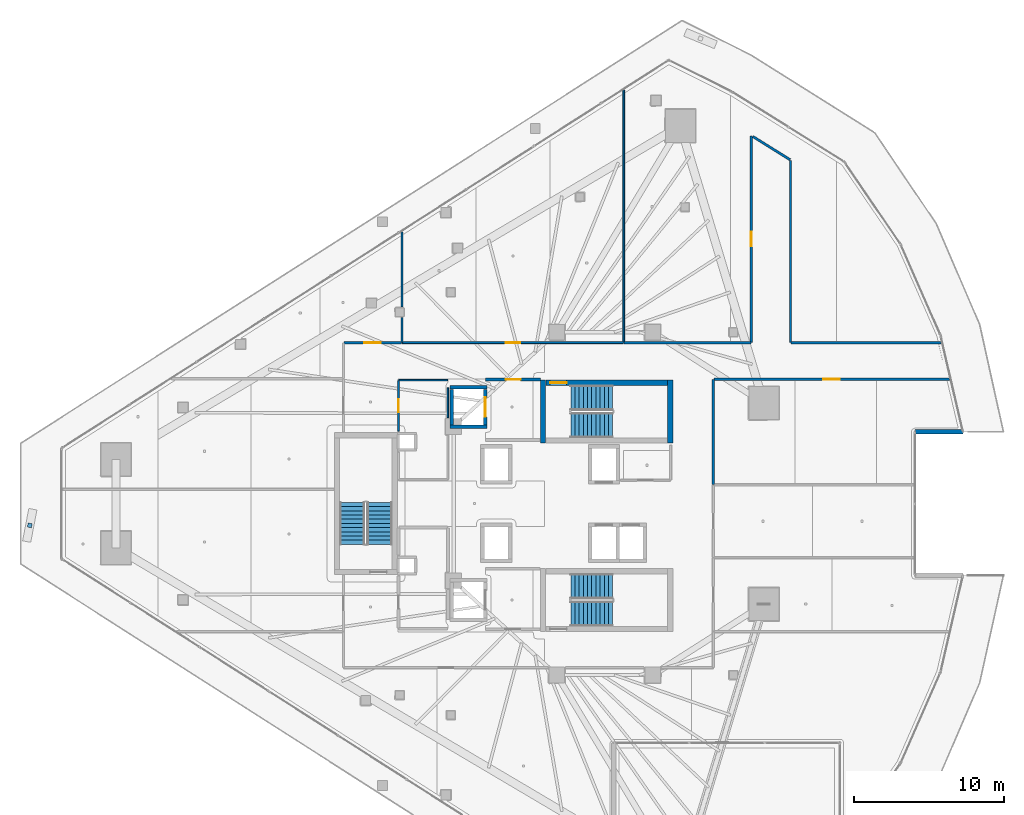
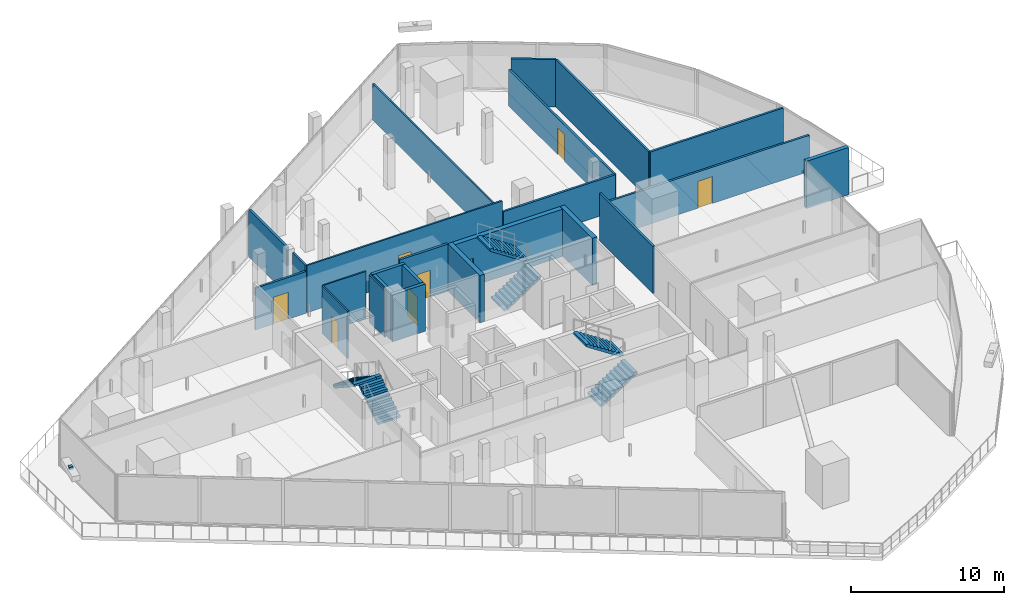
# One storey, part 28 of 39: 24 walls, 8 doors, 6 stair flights, 1 discrete accessory, 8 openings, 3 elements without a shape of their own.
"""IFC4 building model written with IfcOpenShell, lengths in metres."""

from ifc_helpers import new_model, si_unit, direction, frame, frame_2d, origin, origin_2d, place, context, subcontext, project, spatial, polyline, rectangle, outline, extrude, material, layer, layer_set, type_object, element, fill, aggregate, save


model = new_model("IFC4")

# Units and contexts
model_context = context("Model", 3, precision=1e-05, world=origin(), true_north=direction((0.0, 1.0)))
body_context = subcontext(model_context, "Body", "Model", "MODEL_VIEW")
ifc_project = project(units=[si_unit("LENGTHUNIT", "METRE"), si_unit("AREAUNIT", "SQUARE_METRE"), si_unit("VOLUMEUNIT", "CUBIC_METRE"), si_unit("PLANEANGLEUNIT", "RADIAN"), si_unit("MASSUNIT", "GRAM", prefix="KILO")], contexts=[model_context])

# Site, building, storey
site_placement = place(None, origin())
site = spatial("IfcSite", under=ifc_project, at=site_placement, CompositionType="ELEMENT")
building_placement = place(site_placement, origin())
building = spatial("IfcBuilding", under=site, at=building_placement, Name="Qorvath Tower", CompositionType="ELEMENT")
storey_placement = place(building_placement, frame((0.0, 0.0, 154.35009765625)))
storey = spatial("IfcBuildingStorey", under=building, at=storey_placement, Name="L35", CompositionType="ELEMENT", Elevation=154.35009765625)

# Wall, opening, door
ifc_material_1 = material(Name="Gypsum shaftliner on steel studs", Category="steel")
ifc_layer_1 = layer(ifc_material_1, 0.179931640625)
ifc_layer_set_1 = layer_set([ifc_layer_1], Name="FW-LOBBY")
wall_type_1 = type_object("IfcWallType", Name="FW-LOBBY", PredefinedType="PARTITIONING", material=ifc_layer_set_1)
wall_1_placement = place(storey_placement, frame((-24.68408203125, 8.300048828125, 0.0), z_axis=(0.0, 0.0, 1.0), x_axis=(-1.0, 0.0, 0.0)))
wall_1 = element("IfcWall", 1, at=wall_1_placement, inside=storey, type_object=wall_type_1, Name="Interior Partition IW-T1-L35-002", PredefinedType="PARTITIONING", context=body_context, shape_type="SweptSolid", body=[
    extrude(rectangle(XDim=3.6708984375, YDim=0.179931640625, at=frame_2d((1.83544921875, 0.0))), origin(), (0.0, 0.0, 1.0), 3.77978515625),
])
opening_1_placement = place(wall_1_placement, frame((1.33544921875, 0.0, 0.0)))
opening_1 = element("IfcOpeningElement", 2, at=opening_1_placement, cuts=wall_1, Name="Opening D-T1-L35-13", PredefinedType="OPENING", context=body_context, shape_type="SweptSolid", body=[
    extrude(rectangle(XDim=1.0, YDim=2.14990234375, at=frame_2d((0.5, 1.074951171875))), frame((0.0, 0.10009765625, 0.0), z_axis=(0.0, -1.0, 0.0), x_axis=(1.0, 0.0, 0.0)), (0.0, 0.0, 1.0), 0.199951171875),
])
ifc_material_2 = material(Name="Painted galvanised hollow metal", Category="steel")
door_type_1 = type_object("IfcDoorType", Name="FD-60", OperationType="NOTDEFINED", PredefinedType="DOOR", material=ifc_material_2)
door_1_placement = place(opening_1_placement, origin())
door_1 = element("IfcDoor", 3, at=door_1_placement, inside=storey, type_object=door_type_1, Name="Lobby Fire Service Elevator North Door D-T1-L35-13", OperationType="SINGLE_SWING_RIGHT", OverallHeight=2.14990234375, OverallWidth=1.0, PredefinedType="DOOR", context=body_context, shape_type="SweptSolid", body=[
    extrude(rectangle(XDim=1.0, YDim=2.14990234375, at=frame_2d((0.5, 1.074951171875))), frame((0.0, 0.02490234375, 0.0), z_axis=(0.0, -1.0, 0.0), x_axis=(1.0, 0.0, 0.0)), (0.0, 0.0, 1.0), 0.050048828125),
])
fill(opening_1, door_1)

ifc_material_3 = material(Name="Double acoustic gypsum board on steel studs", Category="steel")
ifc_layer_2 = layer(ifc_material_3, 0.159912109375)
ifc_layer_set_2 = layer_set([ifc_layer_2], Name="IW-ACOUSTIC-160")
wall_type_2 = type_object("IfcWallType", Name="IW-ACOUSTIC-160", PredefinedType="PARTITIONING", material=ifc_layer_set_2)
wall_2_placement = place(storey_placement, frame((-37.8330078125, 10.758056640625, 0.0), z_axis=(0.0, 0.0, 1.0), x_axis=(1.0, 0.0, 0.0)))
wall_2 = element("IfcWall", 4, at=wall_2_placement, inside=storey, type_object=wall_type_2, Name="Interior Partition IW-T1-L35-021", PredefinedType="PARTITIONING", context=body_context, shape_type="SweptSolid", body=[
    extrude(rectangle(XDim=3.8583984375, YDim=0.159912109375, at=frame_2d((1.92919921875, 0.0))), origin(), (0.0, 0.0, 1.0), 3.343994140625),
])
opening_2_placement = place(wall_2_placement, frame((1.379150390625, 0.0, 0.0)))
opening_2 = element("IfcOpeningElement", 5, at=opening_2_placement, cuts=wall_2, Name="Opening D-T1-L35-04", PredefinedType="OPENING", context=body_context, shape_type="SweptSolid", body=[
    extrude(rectangle(XDim=1.10009765625, YDim=2.14990234375, at=frame_2d((0.550048828125, 1.074951171875))), frame((0.0, 0.08984375, 0.0), z_axis=(0.0, -1.0, 0.0), x_axis=(1.0, 0.0, 0.0)), (0.0, 0.0, 1.0), 0.179931640625),
])
ifc_material_4 = material(Name="Anodised aluminium acoustic framed glass", Category="aluminium")
door_type_2 = type_object("IfcDoorType", Name="D-03", OperationType="NOTDEFINED", PredefinedType="DOOR", material=ifc_material_4)
door_2_placement = place(opening_2_placement, origin())
door_2 = element("IfcDoor", 6, at=door_2_placement, inside=storey, type_object=door_type_2, Name="L35-01 Client Services Office Door D-T1-L35-04", OperationType="SINGLE_SWING_LEFT", OverallHeight=2.14990234375, OverallWidth=1.10009765625, PredefinedType="DOOR", context=body_context, shape_type="SweptSolid", body=[
    extrude(rectangle(XDim=1.10009765625, YDim=2.14990234375, at=frame_2d((0.550048828125, 1.074951171875))), frame((0.0, 0.02490234375, 0.0), z_axis=(0.0, -1.0, 0.0), x_axis=(1.0, 0.0, 0.0)), (0.0, 0.0, 1.0), 0.050048828125),
])
fill(opening_2, door_2)

# Walls
wall_3_placement = place(storey_placement, frame((-33.94970703125, 10.783203125, 0.0), z_axis=(0.0, 0.0, 1.0), x_axis=(0.0, 1.0, 0.0)))
element("IfcWall", 7, at=wall_3_placement, inside=storey, type_object=wall_type_2, Name="Interior Partition IW-T1-L35-022", PredefinedType="PARTITIONING", context=body_context, shape_type="SweptSolid", body=[
    extrude(rectangle(XDim=1.669189453125, YDim=0.159912109375, at=frame_2d((0.83447265625, 0.0))), origin(), (0.0, 0.0, 1.0), 3.77978515625),
])
wall_4_placement = place(storey_placement, frame((-33.94970703125, 13.132568359375, 0.0), z_axis=(0.0, 0.0, 1.0), x_axis=(0.0, 1.0, 0.0)))
element("IfcWall", 8, at=wall_4_placement, inside=storey, type_object=wall_type_2, Name="Interior Partition IW-T1-L35-023", PredefinedType="PARTITIONING", context=body_context, shape_type="SweptSolid", body=[
    extrude(rectangle(XDim=5.020751953125, YDim=0.159912109375, at=frame_2d((2.51025390625, 0.0))), origin(), (0.0, 0.0, 1.0), 3.77978515625),
])
wall_5_placement = place(storey_placement, frame((-19.099609375, 10.758056640625, 0.0), z_axis=(0.0, 0.0, 1.0), x_axis=(1.0, 0.0, 0.0)))
element("IfcWall", 9, at=wall_5_placement, inside=storey, type_object=wall_type_2, Name="Interior Partition IW-T1-L35-026", PredefinedType="PARTITIONING", context=body_context, shape_type="SweptSolid", body=[
    extrude(rectangle(XDim=8.466796875, YDim=0.159912109375, at=frame_2d((4.2333984375, 0.0))), origin(), (0.0, 0.0, 1.0), 2.894775390625),
])

# Wall, opening, door
wall_6_placement = place(storey_placement, frame((-10.60791015625, 10.783203125, 0.0), z_axis=(0.0, 0.0, 1.0), x_axis=(0.0, 1.0, 0.0)))
wall_6 = element("IfcWall", 10, at=wall_6_placement, inside=storey, type_object=wall_type_2, Name="Interior Partition IW-T1-L35-027", PredefinedType="PARTITIONING", context=body_context, shape_type="SweptSolid", body=[
    extrude(rectangle(XDim=13.78759765625, YDim=0.159912109375, at=frame_2d((6.893798828125, 0.0))), origin(), (0.0, 0.0, 1.0), 2.899658203125),
])
opening_3_placement = place(wall_6_placement, frame((6.418701171875, 0.0, 0.0)))
opening_3 = element("IfcOpeningElement", 11, at=opening_3_placement, cuts=wall_6, Name="Opening D-T1-L35-06", PredefinedType="OPENING", context=body_context, shape_type="SweptSolid", body=[
    extrude(rectangle(XDim=0.949951171875, YDim=2.14990234375, at=frame_2d((0.47509765625, 1.074951171875))), frame((0.0, 0.08984375, 0.0), z_axis=(0.0, -1.0, 0.0), x_axis=(1.0, 0.0, 0.0)), (0.0, 0.0, 1.0), 0.179931640625),
])
ifc_material_5 = material(Name="Solid-core American white oak veneer", Category="wood")
door_type_3 = type_object("IfcDoorType", Name="D-01", OperationType="NOTDEFINED", PredefinedType="DOOR", material=ifc_material_5)
door_3_placement = place(opening_3_placement, origin())
door_3 = element("IfcDoor", 12, at=door_3_placement, inside=storey, type_object=door_type_3, Name="L35-03 Staff Wellness Studio Door D-T1-L35-06", OperationType="SINGLE_SWING_LEFT", OverallHeight=2.14990234375, OverallWidth=0.949951171875, PredefinedType="DOOR", context=body_context, shape_type="SweptSolid", body=[
    extrude(rectangle(XDim=0.949951171875, YDim=2.14990234375, at=frame_2d((0.47509765625, 1.074951171875))), frame((0.0, 0.02490234375, 0.0), z_axis=(0.0, -1.0, 0.0), x_axis=(1.0, 0.0, 0.0)), (0.0, 0.0, 1.0), 0.050048828125),
])
fill(opening_3, door_3)

# Walls
wall_7_placement = place(storey_placement, frame((-8.01318359375, 22.9765625, 0.0), z_axis=(0.0, 0.0, 1.0), x_axis=(-0.848358146003, 0.529422757454, 0.0)))
element("IfcWall", 13, at=wall_7_placement, inside=storey, type_object=wall_type_2, Name="Interior Partition IW-T1-L35-028", PredefinedType="PARTITIONING", context=body_context, shape_type="SweptSolid", body=[
    extrude(rectangle(XDim=2.933349609375, YDim=0.159912109375, at=frame_2d((1.466796875, 0.0))), origin(), (0.0, 0.0, 1.0), 3.77978515625),
])
wall_8_placement = place(storey_placement, frame((-7.991943359375, 10.783203125, 0.0), z_axis=(0.0, 0.0, 1.0), x_axis=(0.0, 1.0, 0.0)))
element("IfcWall", 14, at=wall_8_placement, inside=storey, type_object=wall_type_2, Name="Interior Partition IW-T1-L35-029", PredefinedType="PARTITIONING", context=body_context, shape_type="SweptSolid", body=[
    extrude(rectangle(XDim=12.1552734375, YDim=0.159912109375, at=frame_2d((6.07763671875, 0.0))), origin(), (0.0, 0.0, 1.0), 3.77978515625),
])
wall_9_placement = place(storey_placement, frame((-7.966796875, 10.758056640625, 0.0), z_axis=(0.0, 0.0, 1.0), x_axis=(1.0, 0.0, 0.0)))
element("IfcWall", 15, at=wall_9_placement, inside=storey, type_object=wall_type_2, Name="Interior Partition IW-T1-L35-030", PredefinedType="PARTITIONING", context=body_context, shape_type="SweptSolid", body=[
    extrude(rectangle(XDim=10.042236328125, YDim=0.159912109375, at=frame_2d((5.02099609375, 0.0))), origin(), (0.0, 0.0, 1.0), 3.77978515625),
])

# Wall, opening, door
wall_10_placement = place(storey_placement, frame((2.64208984375, 8.31201171875, 0.0), z_axis=(0.0, 0.0, 1.0), x_axis=(-1.0, 0.0, 0.0)))
wall_10 = element("IfcWall", 16, at=wall_10_placement, inside=storey, type_object=wall_type_2, Name="Interior Partition IW-T1-L35-042", PredefinedType="PARTITIONING", context=body_context, shape_type="SweptSolid", body=[
    extrude(rectangle(XDim=15.75927734375, YDim=0.159912109375, at=frame_2d((7.879638671875, 0.0))), origin(), (0.0, 0.0, 1.0), 2.894775390625),
])
opening_4_placement = place(wall_10_placement, frame((7.32958984375, 0.0, 0.0)))
opening_4 = element("IfcOpeningElement", 17, at=opening_4_placement, cuts=wall_10, Name="Opening D-T1-L35-10", PredefinedType="OPENING", context=body_context, shape_type="SweptSolid", body=[
    extrude(rectangle(XDim=1.10009765625, YDim=2.14990234375, at=frame_2d((0.550048828125, 1.074951171875))), frame((0.0, 0.08984375, 0.0), z_axis=(0.0, -1.0, 0.0), x_axis=(1.0, 0.0, 0.0)), (0.0, 0.0, 1.0), 0.179931640625),
])
door_4_placement = place(opening_4_placement, origin())
door_4 = element("IfcDoor", 18, at=door_4_placement, inside=storey, type_object=door_type_2, Name="L35-07 Digital Visualization Suite Door D-T1-L35-10", OperationType="SINGLE_SWING_LEFT", OverallHeight=2.14990234375, OverallWidth=1.10009765625, PredefinedType="DOOR", context=body_context, shape_type="SweptSolid", body=[
    extrude(rectangle(XDim=1.10009765625, YDim=2.14990234375, at=frame_2d((0.550048828125, 1.074951171875))), frame((0.0, 0.02490234375, 0.0), z_axis=(0.0, -1.0, 0.0), x_axis=(1.0, 0.0, 0.0)), (0.0, 0.0, 1.0), 0.050048828125),
])
fill(opening_4, door_4)

# Wall
wall_11_placement = place(storey_placement, frame((-13.14208984375, 8.287109375, 0.0), z_axis=(0.0, 0.0, 1.0), x_axis=(0.0, -1.0, 0.0)))
element("IfcWall", 19, at=wall_11_placement, inside=storey, type_object=wall_type_2, Name="Interior Partition IW-T1-L35-043", PredefinedType="PARTITIONING", context=body_context, shape_type="SweptSolid", body=[
    extrude(rectangle(XDim=7.001708984375, YDim=0.159912109375, at=frame_2d((3.5009765625, 0.0))), origin(), (0.0, 0.0, 1.0), 3.77978515625),
])

# Wall, opening, door
ifc_material_6 = material(Name="Gypsum board on metal studs with mineral wool", Category="gypsum")
ifc_layer_3 = layer(ifc_material_6, 0.125)
ifc_layer_set_3 = layer_set([ifc_layer_3], Name="IW-PART-125")
wall_type_3 = type_object("IfcWallType", Name="IW-PART-125", PredefinedType="PARTITIONING", material=ifc_layer_set_3)
wall_12_placement = place(storey_placement, frame((-33.916748046875, 10.758056640625, 0.0), z_axis=(0.0, 0.0, 1.0), x_axis=(1.0, 0.0, 0.0)))
wall_12 = element("IfcWall", 20, at=wall_12_placement, inside=storey, type_object=wall_type_3, Name="Interior Partition IW-T1-L35-024", PredefinedType="PARTITIONING", context=body_context, shape_type="SweptSolid", body=[
    extrude(rectangle(XDim=14.759033203125, YDim=0.125, at=frame_2d((7.37939453125, 0.0))), origin(), (0.0, 0.0, 1.0), 3.77978515625),
])
opening_5_placement = place(wall_12_placement, frame((6.904541015625, 0.0, 0.0)))
opening_5 = element("IfcOpeningElement", 21, at=opening_5_placement, cuts=wall_12, Name="Opening D-T1-L35-05", PredefinedType="OPENING", context=body_context, shape_type="SweptSolid", body=[
    extrude(rectangle(XDim=0.949951171875, YDim=2.14990234375, at=frame_2d((0.47509765625, 1.074951171875))), frame((0.0, 0.072509765625, 0.0), z_axis=(0.0, -1.0, 0.0), x_axis=(1.0, 0.0, 0.0)), (0.0, 0.0, 1.0), 0.14501953125),
])
door_5_placement = place(opening_5_placement, origin())
door_5 = element("IfcDoor", 22, at=door_5_placement, inside=storey, type_object=door_type_3, Name="L35-02 Project Collaboration Workspace Door D-T1-L35-05", OperationType="SINGLE_SWING_RIGHT", OverallHeight=2.14990234375, OverallWidth=0.949951171875, PredefinedType="DOOR", context=body_context, shape_type="SweptSolid", body=[
    extrude(rectangle(XDim=0.949951171875, YDim=2.14990234375, at=frame_2d((0.47509765625, 1.074951171875))), frame((0.0, 0.02490234375, 0.0), z_axis=(0.0, -1.0, 0.0), x_axis=(1.0, 0.0, 0.0)), (0.0, 0.0, 1.0), 0.050048828125),
])
fill(opening_5, door_5)

# Walls
wall_13_placement = place(storey_placement, frame((-19.132568359375, 10.783203125, 0.0), z_axis=(0.0, 0.0, 1.0), x_axis=(0.0, 1.0, 0.0)))
element("IfcWall", 23, at=wall_13_placement, inside=storey, type_object=wall_type_3, Name="Interior Partition IW-T1-L35-025", PredefinedType="PARTITIONING", context=body_context, shape_type="SweptSolid", body=[
    extrude(rectangle(XDim=16.840087890625, YDim=0.125, at=frame_2d((8.419921875, 0.0))), origin(), (0.0, 0.0, 1.0), 2.894775390625),
])
ifc_material_7 = material(Name="Moisture-resistant cement board on metal studs", Category="gypsum")
ifc_layer_4 = layer(ifc_material_7, 0.110107421875)
ifc_layer_set_4 = layer_set([ifc_layer_4], Name="IW-WC-110")
wall_type_4 = type_object("IfcWallType", Name="IW-WC-110", PredefinedType="PARTITIONING", material=ifc_layer_set_4)
wall_14_placement = place(storey_placement, frame((-30.8798828125, 5.739990234375, 0.0), z_axis=(0.0, 0.0, 1.0), x_axis=(0.0, 1.0, 0.0)))
element("IfcWall", 24, at=wall_14_placement, inside=storey, type_object=wall_type_4, Name="Interior Partition IW-T1-L35-007", PredefinedType="PARTITIONING", context=body_context, shape_type="SweptSolid", body=[
    extrude(rectangle(XDim=2.0029296875, YDim=0.110107421875, at=frame_2d((1.00146484375, 0.0))), origin(), (0.0, 0.0, 1.0), 3.77978515625),
])
wall_15_placement = place(storey_placement, frame((-30.90478515625, 8.25, 0.0), z_axis=(0.0, 0.0, 1.0), x_axis=(-1.0, 0.0, 0.0)))
element("IfcWall", 25, at=wall_15_placement, inside=storey, type_object=wall_type_4, Name="Interior Partition IW-T1-L35-008", PredefinedType="PARTITIONING", context=body_context, shape_type="SweptSolid", body=[
    extrude(rectangle(XDim=3.25, YDim=0.110107421875, at=frame_2d((1.625, 0.0))), origin(), (0.0, 0.0, 1.0), 3.77978515625),
])

# Wall, opening, door
wall_16_placement = place(storey_placement, frame((-34.179931640625, 8.22509765625, 0.0), z_axis=(0.0, 0.0, 1.0), x_axis=(0.0, -1.0, 0.0)))
wall_16 = element("IfcWall", 26, at=wall_16_placement, inside=storey, type_object=wall_type_4, Name="Interior Partition IW-T1-L35-009", PredefinedType="PARTITIONING", context=body_context, shape_type="SweptSolid", body=[
    extrude(rectangle(XDim=3.385009765625, YDim=0.110107421875, at=frame_2d((1.6923828125, 0.0))), origin(), (0.0, 0.0, 1.0), 3.77978515625),
])
opening_6_placement = place(wall_16_placement, frame((1.25244140625, 0.0, 0.0)))
opening_6 = element("IfcOpeningElement", 27, at=opening_6_placement, cuts=wall_16, Name="Opening D-T1-L35-01", PredefinedType="OPENING", context=body_context, shape_type="SweptSolid", body=[
    extrude(rectangle(XDim=0.8798828125, YDim=2.10009765625, at=frame_2d((0.43994140625, 1.050048828125))), frame((0.0, 0.06494140625, 0.0), z_axis=(0.0, -1.0, 0.0), x_axis=(1.0, 0.0, 0.0)), (0.0, 0.0, 1.0), 0.130126953125),
])
ifc_material_8 = material(Name="Solid-core oak with acoustic drop seal", Category="wood")
door_type_4 = type_object("IfcDoorType", Name="D-02", OperationType="NOTDEFINED", PredefinedType="DOOR", material=ifc_material_8)
door_6_placement = place(opening_6_placement, origin())
door_6 = element("IfcDoor", 28, at=door_6_placement, inside=storey, type_object=door_type_4, Name="Accessible WC North L35 Door D-T1-L35-01", OperationType="SINGLE_SWING_RIGHT", OverallHeight=2.10009765625, OverallWidth=0.8798828125, PredefinedType="DOOR", context=body_context, shape_type="SweptSolid", body=[
    extrude(rectangle(XDim=0.8798828125, YDim=2.10009765625, at=frame_2d((0.43994140625, 1.050048828125))), frame((0.0, 0.02490234375, 0.0), z_axis=(0.0, -1.0, 0.0), x_axis=(1.0, 0.0, 0.0)), (0.0, 0.0, 1.0), 0.050048828125),
])
fill(opening_6, door_6)

# Walls
ifc_material_9 = material(Name="Concrete C60/75", Category="concrete")
ifc_layer_5 = layer(ifc_material_9, 0.260009765625)
ifc_layer_set_5 = layer_set([ifc_layer_5], Name="SW-SHAFT")
wall_type_5 = type_object("IfcWallType", Name="SW-SHAFT", PredefinedType="SHEAR", material=ifc_layer_set_5)
for number, where, z_axis, x_axis, name in (
    (29, (-28.260009765625, 5.1298828125, 0.0), (0.0, 0.0, 1.0), (-1.0, 0.0, 0.0), "Hoistway Wall FSAE-1 L35 S"),
    (30, (-30.739990234375, 7.77001953125, 0.0), (0.0, 0.0, 1.0), (1.0, 0.0, 0.0), "Hoistway Wall FSAE-1 L35 N"),
):
    element("IfcWall", number, at=place(storey_placement, frame(where, z_axis=z_axis, x_axis=x_axis)), inside=storey, type_object=wall_type_5, Name=name, PredefinedType="SHEAR", context=body_context, shape_type="SweptSolid", body=[
        extrude(rectangle(XDim=2.47998046875, YDim=0.239990234375, at=frame_2d((1.239990234375, 0.0))), origin(), (0.0, 0.0, 1.0), 3.77978515625),
    ])
wall_17_placement = place(storey_placement, frame((-30.6201171875, 5.261962890625, 0.0), z_axis=(0.0, 0.0, 1.0), x_axis=(0.0, 1.0, 0.0)))
element("IfcWall", 31, at=wall_17_placement, inside=storey, type_object=wall_type_5, Name="Hoistway Wall FSAE-1 L35 W", PredefinedType="SHEAR", context=body_context, shape_type="SweptSolid", body=[
    extrude(rectangle(XDim=2.3759765625, YDim=0.239990234375, at=frame_2d((1.18798828125, 0.0))), origin(), (0.0, 0.0, 1.0), 3.77978515625),
])

# Wall, opening, door
wall_18_placement = place(storey_placement, frame((-28.3798828125, 7.637939453125, 0.0), z_axis=(0.0, 0.0, 1.0), x_axis=(0.0, -1.0, 0.0)))
wall_18 = element("IfcWall", 32, at=wall_18_placement, inside=storey, type_object=wall_type_5, Name="Hoistway Wall FSAE-1 L35 E", PredefinedType="SHEAR", context=body_context, shape_type="SweptSolid", body=[
    extrude(rectangle(XDim=2.3759765625, YDim=0.239990234375, at=frame_2d((1.18798828125, 0.0))), origin(), (0.0, 0.0, 1.0), 3.77978515625),
])
opening_7_placement = place(wall_18_placement, frame((0.537841796875, 0.0, 0.0)))
opening_7 = element("IfcOpeningElement", 33, at=opening_7_placement, cuts=wall_18, Name="Opening LD-FSAE-1-L35", PredefinedType="OPENING", context=body_context, shape_type="SweptSolid", body=[
    extrude(rectangle(XDim=1.300048828125, YDim=2.300048828125, at=frame_2d((0.64990234375, 1.14990234375))), frame((0.0, 0.1298828125, 0.0), z_axis=(0.0, -1.0, 0.0), x_axis=(1.0, 0.0, 0.0)), (0.0, 0.0, 1.0), 0.260009765625),
])
ifc_material_10 = material(Name="Brushed stainless steel AISI 316", Category="steel")
door_type_5 = type_object("IfcDoorType", Name="LD-02", OperationType="NOTDEFINED", PredefinedType="DOOR", material=ifc_material_10)
door_7_placement = place(opening_7_placement, origin())
door_7 = element("IfcDoor", 34, at=door_7_placement, inside=storey, type_object=door_type_5, Name="Elevator Landing Sliding Door LD-FSAE-1-L35", OperationType="DOUBLE_DOOR_SLIDING", OverallHeight=2.300048828125, OverallWidth=1.300048828125, PredefinedType="DOOR", context=body_context, shape_type="SweptSolid", body=[
    extrude(rectangle(XDim=1.300048828125, YDim=2.300048828125, at=frame_2d((0.64990234375, 1.14990234375))), frame((0.0, 0.02490234375, 0.0), z_axis=(0.0, -1.0, 0.0), x_axis=(1.0, 0.0, 0.0)), (0.0, 0.0, 1.0), 0.050048828125),
])
fill(opening_7, door_7)

# Walls
ifc_material_11 = material(Name="Concrete C60/75", Category="concrete")
ifc_layer_6 = layer(ifc_material_11, 0.35009765625)
ifc_layer_set_6 = layer_set([ifc_layer_6], Name="SW-STAIR")
wall_type_6 = type_object("IfcWallType", Name="SW-STAIR", PredefinedType="SHEAR", material=ifc_layer_set_6)
for number, where, z_axis, x_axis, name in (
    (35, (-24.52490234375, 8.260009765625, 0.0), (0.0, 0.0, 1.0), (0.0, -1.0, 0.0), "Stair TS1 Shear Wall L35 NEAR"),
    (36, (-16.02490234375, 4.050048828125, 0.0), (0.0, 0.0, 1.0), (0.0, 1.0, 0.0), "Stair TS1 Shear Wall L35 FAR"),
):
    element("IfcWall", number, at=place(storey_placement, frame(where, z_axis=z_axis, x_axis=x_axis)), inside=storey, type_object=wall_type_6, Name=name, PredefinedType="SHEAR", context=body_context, shape_type="SweptSolid", body=[
        extrude(rectangle(XDim=4.2099609375, YDim=0.35009765625, at=frame_2d((2.10498046875, 0.0))), origin(), (0.0, 0.0, 1.0), 3.77978515625),
    ])

# Wall, opening, door
wall_19_placement = place(storey_placement, frame((-16.215087890625, 8.0849609375, 0.0), z_axis=(0.0, 0.0, 1.0), x_axis=(-1.0, 0.0, 0.0)))
wall_19 = element("IfcWall", 37, at=wall_19_placement, inside=storey, type_object=wall_type_6, Name="Stair TS1 Shear Wall L35 RIGHT", PredefinedType="SHEAR", context=body_context, shape_type="SweptSolid", body=[
    extrude(rectangle(XDim=8.119873046875, YDim=0.35009765625, at=frame_2d((4.06005859375, 0.0))), origin(), (0.0, 0.0, 1.0), 3.77978515625),
])
opening_8_placement = place(wall_19_placement, frame((6.739990234375, 0.0, 0.0)))
opening_8 = element("IfcOpeningElement", 38, at=opening_8_placement, cuts=wall_19, Name="Opening D-TS1-L35", PredefinedType="OPENING", context=body_context, shape_type="SweptSolid", body=[
    extrude(rectangle(XDim=1.10009765625, YDim=2.199951171875, at=frame_2d((0.550048828125, 1.10009765625))), frame((0.0, 0.18505859375, 0.0), z_axis=(0.0, -1.0, 0.0), x_axis=(1.0, 0.0, 0.0)), (0.0, 0.0, 1.0), 0.3701171875),
])
ifc_material_12 = material(Name="Painted galvanised hollow metal", Category="steel")
door_type_6 = type_object("IfcDoorType", Name="FD-90", OperationType="NOTDEFINED", PredefinedType="DOOR", material=ifc_material_12)
door_8_placement = place(opening_8_placement, origin())
door_8 = element("IfcDoor", 39, at=door_8_placement, inside=storey, type_object=door_type_6, Name="Stair TS1 Fire Door L35", OperationType="SINGLE_SWING_RIGHT", OverallHeight=2.199951171875, OverallWidth=1.10009765625, PredefinedType="DOOR", context=body_context, shape_type="SweptSolid", body=[
    extrude(rectangle(XDim=1.10009765625, YDim=2.199951171875, at=frame_2d((0.550048828125, 1.10009765625))), frame((0.0, 0.02490234375, 0.0), z_axis=(0.0, -1.0, 0.0), x_axis=(1.0, 0.0, 0.0)), (0.0, 0.0, 1.0), 0.050048828125),
])
fill(opening_8, door_8)

# Wall
ifc_material_13 = material(Name="Precast concrete C45/55", Category="concrete")
ifc_layer_7 = layer(ifc_material_13, 0.300048828125)
ifc_layer_set_7 = layer_set([ifc_layer_7], Name="WL-EW-LOG-300")
wall_type_7 = type_object("IfcWallType", Name="WL-EW-LOG-300", PredefinedType="SOLIDWALL", material=ifc_layer_set_7)
wall_20_placement = place(storey_placement, frame((0.33984375, 4.795166015625, 0.0), z_axis=(0.0, 0.0, 1.0), x_axis=(1.0, 0.0, 0.0)))
element("IfcWall", 40, at=wall_20_placement, inside=storey, type_object=wall_type_7, Name="Tower Precast Loggia Wall L35-10.1", PredefinedType="SOLIDWALL", context=body_context, shape_type="SweptSolid", body=[
    extrude(rectangle(XDim=3.19677734375, YDim=0.300048828125, at=frame_2d((1.598388671875, 0.0))), origin(), (0.0, 0.0, 1.0), 3.77978515625),
])

# Stair, stair flights
ifc_material_14 = material(Name="Concrete C50/60", Category="concrete")
stair_type = type_object("IfcStairType", Name="ST-H405", PredefinedType="HALF_TURN_STAIR", material=ifc_material_14)
stair_1_placement = place(storey_placement, origin())
stair_1 = element("IfcStair", 41, at=stair_1_placement, inside=storey, type_object=stair_type, Name="L35 Tower Exit Stair 1", PredefinedType="HALF_TURN_STAIR")
ifc_material_15 = material(Name="Concrete C50/60", Category="concrete")
ifc_layer_8 = layer(ifc_material_15, 0.14990234375)
ifc_layer_set_8 = layer_set([ifc_layer_8], Name="SF-H405")
stair_flight_type = type_object("IfcStairFlightType", Name="SF-H405", PredefinedType="STRAIGHT", material=ifc_layer_set_8)
stair_flight_1_placement = place(storey_placement, frame((-22.669921875, 5.239990234375, 0.0), z_axis=(0.0, 0.0, 1.0), x_axis=(1.0, 0.0, 0.0)))
stair_flight_1 = element("IfcStairFlight", 42, at=stair_flight_1_placement, type_object=stair_flight_type, Name="TS1 flight 1", NumberOfRisers=11, NumberOfTreads=10, PredefinedType="STRAIGHT", RiserHeight=0.184090909, TreadLength=0.28, context=body_context, shape_type="SweptSolid", body=[
    extrude(outline(polyline([(0.0, 0.0), (0.0, 0.18408203125), (0.280029296875, 0.18408203125), (0.280029296875, 0.3681640625), (0.56005859375, 0.3681640625), (0.56005859375, 0.55224609375), (0.840087890625, 0.55224609375), (0.840087890625, 0.736328125), (1.1201171875, 0.736328125), (1.1201171875, 0.92041015625), (1.39990234375, 0.92041015625), (1.39990234375, 1.1044921875), (1.679931640625, 1.1044921875), (1.679931640625, 1.28857421875), (1.9599609375, 1.28857421875), (1.9599609375, 1.47265625), (2.239990234375, 1.47265625), (2.239990234375, 1.65673828125), (2.52001953125, 1.65673828125), (2.52001953125, 1.8408203125), (2.800048828125, 1.8408203125), (2.800048828125, 2.02490234375), (2.800048828125, 1.66162109375), (0.27294921875, 0.0), (0.0, 0.0)])), frame((0.0, 0.83984375, 0.0), z_axis=(0.0, -1.0, 0.0), x_axis=(1.0, 0.0, 0.0)), (0.0, 0.0, 1.0), 1.679931640625),
])
stair_flight_2_placement = place(storey_placement, frame((-19.8701171875, 7.070068359375, 2.02490234375), z_axis=(0.0, 0.0, 1.0), x_axis=(-1.0, 0.0, 0.0)))
stair_flight_2 = element("IfcStairFlight", 43, at=stair_flight_2_placement, type_object=stair_flight_type, Name="TS1 flight 2", NumberOfRisers=11, NumberOfTreads=10, PredefinedType="STRAIGHT", RiserHeight=0.184090909, TreadLength=0.28, context=body_context, shape_type="SweptSolid", body=[
    extrude(outline(polyline([(0.0, 0.0), (0.0, 0.18408203125), (0.280029296875, 0.18408203125), (0.280029296875, 0.3681640625), (0.56005859375, 0.3681640625), (0.56005859375, 0.55224609375), (0.840087890625, 0.55224609375), (0.840087890625, 0.736328125), (1.1201171875, 0.736328125), (1.1201171875, 0.92041015625), (1.39990234375, 0.92041015625), (1.39990234375, 1.1044921875), (1.679931640625, 1.1044921875), (1.679931640625, 1.28857421875), (1.9599609375, 1.28857421875), (1.9599609375, 1.47265625), (2.239990234375, 1.47265625), (2.239990234375, 1.65673828125), (2.52001953125, 1.65673828125), (2.52001953125, 1.8408203125), (2.800048828125, 1.8408203125), (2.800048828125, 2.02490234375), (2.800048828125, 1.66162109375), (0.27294921875, 0.0), (0.0, 0.0)])), frame((0.0, 0.83984375, 0.0), z_axis=(0.0, -1.0, 0.0), x_axis=(1.0, 0.0, 0.0)), (0.0, 0.0, 1.0), 1.679931640625),
])
aggregate(stair_1, [stair_flight_1, stair_flight_2])

stair_2_placement = place(storey_placement, origin())
stair_2 = element("IfcStair", 44, at=stair_2_placement, inside=storey, type_object=stair_type, Name="L35 Tower Exit Stair 2", PredefinedType="HALF_TURN_STAIR")
stair_flight_3_placement = place(storey_placement, frame((-22.669921875, -7.360107421875, 0.0), z_axis=(0.0, 0.0, 1.0), x_axis=(1.0, 0.0, 0.0)))
stair_flight_3 = element("IfcStairFlight", 45, at=stair_flight_3_placement, type_object=stair_flight_type, Name="TS2 flight 1", NumberOfRisers=11, NumberOfTreads=10, PredefinedType="STRAIGHT", RiserHeight=0.184090909, TreadLength=0.28, context=body_context, shape_type="SweptSolid", body=[
    extrude(outline(polyline([(0.0, 0.0), (0.0, 0.18408203125), (0.280029296875, 0.18408203125), (0.280029296875, 0.3681640625), (0.56005859375, 0.3681640625), (0.56005859375, 0.55224609375), (0.840087890625, 0.55224609375), (0.840087890625, 0.736328125), (1.1201171875, 0.736328125), (1.1201171875, 0.92041015625), (1.39990234375, 0.92041015625), (1.39990234375, 1.1044921875), (1.679931640625, 1.1044921875), (1.679931640625, 1.28857421875), (1.9599609375, 1.28857421875), (1.9599609375, 1.47265625), (2.239990234375, 1.47265625), (2.239990234375, 1.65673828125), (2.52001953125, 1.65673828125), (2.52001953125, 1.8408203125), (2.800048828125, 1.8408203125), (2.800048828125, 2.02490234375), (2.800048828125, 1.66162109375), (0.27294921875, 0.0), (0.0, 0.0)])), frame((0.0, 0.83984375, 0.0), z_axis=(0.0, -1.0, 0.0), x_axis=(1.0, 0.0, 0.0)), (0.0, 0.0, 1.0), 1.679931640625),
])
stair_flight_4_placement = place(storey_placement, frame((-19.8701171875, -5.530029296875, 2.02490234375), z_axis=(0.0, 0.0, 1.0), x_axis=(-1.0, 0.0, 0.0)))
stair_flight_4 = element("IfcStairFlight", 46, at=stair_flight_4_placement, type_object=stair_flight_type, Name="TS2 flight 2", NumberOfRisers=11, NumberOfTreads=10, PredefinedType="STRAIGHT", RiserHeight=0.184090909, TreadLength=0.28, context=body_context, shape_type="SweptSolid", body=[
    extrude(outline(polyline([(0.0, 0.0), (0.0, 0.18408203125), (0.280029296875, 0.18408203125), (0.280029296875, 0.3681640625), (0.56005859375, 0.3681640625), (0.56005859375, 0.55224609375), (0.840087890625, 0.55224609375), (0.840087890625, 0.736328125), (1.1201171875, 0.736328125), (1.1201171875, 0.92041015625), (1.39990234375, 0.92041015625), (1.39990234375, 1.1044921875), (1.679931640625, 1.1044921875), (1.679931640625, 1.28857421875), (1.9599609375, 1.28857421875), (1.9599609375, 1.47265625), (2.239990234375, 1.47265625), (2.239990234375, 1.65673828125), (2.52001953125, 1.65673828125), (2.52001953125, 1.8408203125), (2.800048828125, 1.8408203125), (2.800048828125, 2.02490234375), (2.800048828125, 1.66162109375), (0.27294921875, 0.0), (0.0, 0.0)])), frame((0.0, 0.83984375, 0.0), z_axis=(0.0, -1.0, 0.0), x_axis=(1.0, 0.0, 0.0)), (0.0, 0.0, 1.0), 1.679931640625),
])
aggregate(stair_2, [stair_flight_3, stair_flight_4])

stair_3_placement = place(storey_placement, origin())
stair_3 = element("IfcStair", 47, at=stair_3_placement, inside=storey, type_object=stair_type, Name="L35 Tower Exit Stair 3", PredefinedType="HALF_TURN_STAIR")
stair_flight_5_placement = place(storey_placement, frame((-35.43994140625, -2.719970703125, 0.0), z_axis=(0.0, 0.0, 1.0), x_axis=(0.0, 1.0, 0.0)))
stair_flight_5 = element("IfcStairFlight", 48, at=stair_flight_5_placement, type_object=stair_flight_type, Name="TS3 flight 1", NumberOfRisers=11, NumberOfTreads=10, PredefinedType="STRAIGHT", RiserHeight=0.184090909, TreadLength=0.28, context=body_context, shape_type="SweptSolid", body=[
    extrude(outline(polyline([(0.0, 0.0), (0.0, 0.18408203125), (0.280029296875, 0.18408203125), (0.280029296875, 0.3681640625), (0.56005859375, 0.3681640625), (0.56005859375, 0.55224609375), (0.840087890625, 0.55224609375), (0.840087890625, 0.736328125), (1.1201171875, 0.736328125), (1.1201171875, 0.92041015625), (1.39990234375, 0.92041015625), (1.39990234375, 1.1044921875), (1.679931640625, 1.1044921875), (1.679931640625, 1.28857421875), (1.9599609375, 1.28857421875), (1.9599609375, 1.47265625), (2.239990234375, 1.47265625), (2.239990234375, 1.65673828125), (2.52001953125, 1.65673828125), (2.52001953125, 1.8408203125), (2.800048828125, 1.8408203125), (2.800048828125, 2.02490234375), (2.800048828125, 1.66162109375), (0.27294921875, 0.0), (0.0, 0.0)])), frame((0.0, 0.83984375, 0.0), z_axis=(0.0, -1.0, 0.0), x_axis=(1.0, 0.0, 0.0)), (0.0, 0.0, 1.0), 1.679931640625),
])
stair_flight_6_placement = place(storey_placement, frame((-37.27001953125, 0.080078125, 2.02490234375), z_axis=(0.0, 0.0, 1.0), x_axis=(0.0, -1.0, 0.0)))
stair_flight_6 = element("IfcStairFlight", 49, at=stair_flight_6_placement, type_object=stair_flight_type, Name="TS3 flight 2", NumberOfRisers=11, NumberOfTreads=10, PredefinedType="STRAIGHT", RiserHeight=0.184090909, TreadLength=0.28, context=body_context, shape_type="SweptSolid", body=[
    extrude(outline(polyline([(0.0, 0.0), (0.0, 0.18408203125), (0.280029296875, 0.18408203125), (0.280029296875, 0.3681640625), (0.56005859375, 0.3681640625), (0.56005859375, 0.55224609375), (0.840087890625, 0.55224609375), (0.840087890625, 0.736328125), (1.1201171875, 0.736328125), (1.1201171875, 0.92041015625), (1.39990234375, 0.92041015625), (1.39990234375, 1.1044921875), (1.679931640625, 1.1044921875), (1.679931640625, 1.28857421875), (1.9599609375, 1.28857421875), (1.9599609375, 1.47265625), (2.239990234375, 1.47265625), (2.239990234375, 1.65673828125), (2.52001953125, 1.65673828125), (2.52001953125, 1.8408203125), (2.800048828125, 1.8408203125), (2.800048828125, 2.02490234375), (2.800048828125, 1.66162109375), (0.27294921875, 0.0), (0.0, 0.0)])), frame((0.0, 0.83984375, 0.0), z_axis=(0.0, -1.0, 0.0), x_axis=(1.0, 0.0, 0.0)), (0.0, 0.0, 1.0), 1.679931640625),
])
aggregate(stair_3, [stair_flight_5, stair_flight_6])

# Discrete accessory
ifc_material_16 = material(Name="Galvanised steel bracket", Category="steel")
discrete_accessory_type = type_object("IfcDiscreteAccessoryType", Name="DA-BRACKET", PredefinedType="BRACKET", material=ifc_material_16)
discrete_accessory_placement = place(storey_placement, frame((-58.81787109375, -1.453125, 3.6396484375), z_axis=(0.0, 0.0, 1.0), x_axis=(-0.188646396824, -0.982045078887, 0.0)))
element("IfcDiscreteAccessory", 50, at=discrete_accessory_placement, inside=storey, type_object=discrete_accessory_type, Name="Louvre Wave Support Bracket L35-01", PredefinedType="NOTDEFINED", context=body_context, shape_type="SweptSolid", body=[
    extrude(rectangle(XDim=0.280029296875, YDim=0.280029296875, at=origin_2d()), origin(), (0.0, 0.0, 1.0), 0.199951171875),
])

save(model, "model.ifc")
